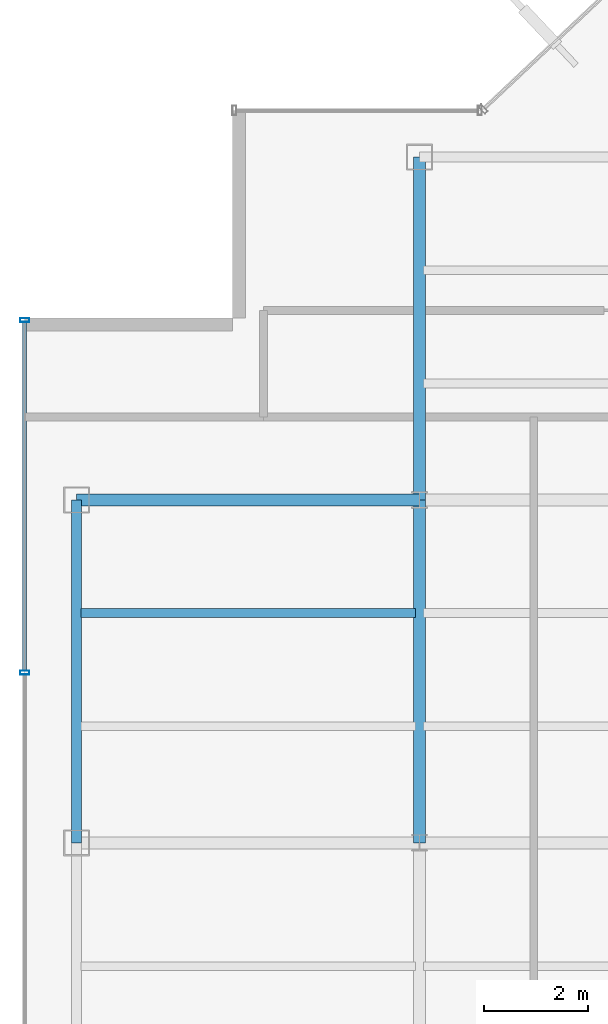
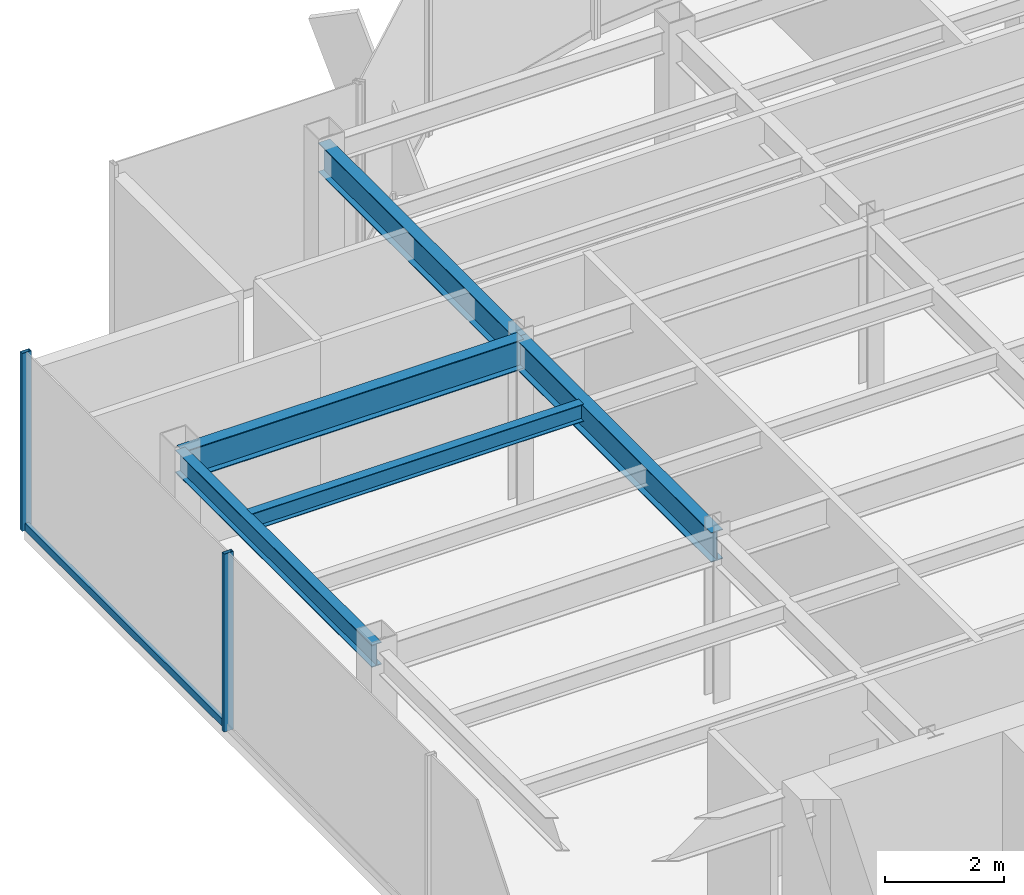
# One storey, part 7 of 22: 5 beams, 3 members, 1 element without a shape of its own.
"""IFC4 building model written with IfcOpenShell, lengths in metres."""

from ifc_helpers import new_model, si_unit, derived_unit, direction, frame, origin, origin_2d, place, context, subcontext, project, spatial, hollow_rectangle, i_section, extrude, source, transform, mapped, material, material_profile, profile_set, type_object, element, aggregate, save


model = new_model("IFC4")

# Units and contexts
model_context = context("Model", 3, precision=1e-05, world=origin(), true_north=direction((0.0, 1.0)))
body_context = subcontext(model_context, "Body", "Model", "MODEL_VIEW")
ifc_project = project(units=[si_unit("LENGTHUNIT", "METRE"), si_unit("AREAUNIT", "SQUARE_METRE"), si_unit("VOLUMEUNIT", "CUBIC_METRE"), si_unit("PLANEANGLEUNIT", "RADIAN"), si_unit("MASSUNIT", "GRAM", prefix="KILO"), derived_unit("THERMALTRANSMITTANCEUNIT", [(si_unit("POWERUNIT", "WATT"), 1), (si_unit("LENGTHUNIT", "METRE"), -2), (si_unit("THERMODYNAMICTEMPERATUREUNIT", "KELVIN"), -1)])], contexts=[model_context])

# Site, building, storey
site_placement = place(None, origin())
site = spatial("IfcSite", under=ifc_project, at=site_placement, CompositionType="ELEMENT")
building_placement = place(site_placement, origin())
building = spatial("IfcBuilding", under=site, at=building_placement, Name="Skarnbrae Concourse Arena and Tower", CompositionType="ELEMENT")
storey_placement = place(building_placement, frame((0.0, 0.0, 203.199951171875)))
storey = spatial("IfcBuildingStorey", under=building, at=storey_placement, Name="L52", CompositionType="ELEMENT", Elevation=203.199951171875)

# Beams
ifc_material_1 = material(Name="Steel CSA G40.21 350W", Category="steel")
ifc_material_profile_1 = material_profile(ifc_material_1, i_section(OverallWidth=0.22802734375, OverallDepth=0.60791015625, WebThickness=0.01123046875, FlangeThickness=0.017333984375, at=origin_2d()), Name="W610X113")
ifc_profile_set_1 = profile_set([ifc_material_profile_1], Name="Steel CSA G40.21 350W")
beam_type_1 = type_object("IfcBeamType", Name="BM-GIRD-W610X113", PredefinedType="BEAM", material=ifc_profile_set_1)
shared_shape_1 = source(origin(), body_context, "Body", "SweptSolid", [
    extrude(i_section(OverallWidth=0.22802734375, OverallDepth=0.60791015625, WebThickness=0.01123046875, FlangeThickness=0.017333984375, at=origin_2d()), origin(), (0.0, 0.0, 1.0), 6.60009765625),
])
for number, where, z_axis, x_axis, name in (
    (1, (1.0, 27.800048828125, 3.095947265625), (1.0, 0.0, 0.0), (0.0, 1.0, 0.0), "L52 Primary E-W girder Y27.8-1"),
    (2, (7.60009765625, 21.199951171875, 3.095947265625), (0.0, 1.0, 0.0), (-1.0, 0.0, 0.0), "L52 Primary N-S girder X7.6-2"),
):
    element("IfcBeam", number, at=place(storey_placement, frame(where, z_axis=z_axis, x_axis=x_axis)), inside=storey, type_object=beam_type_1, Name=name, PredefinedType="BEAM", context=body_context, shape_type="MappedRepresentation", body=[
        mapped(shared_shape_1, transform((0.0, 0.0, 0.0))),
    ])
ifc_material_profile_2 = material_profile(ifc_material_1, i_section(OverallWidth=0.19091796875, OverallDepth=0.4599609375, WebThickness=0.010009765625, FlangeThickness=0.01611328125, at=origin_2d()), Name="W460X82")
ifc_profile_set_2 = profile_set([ifc_material_profile_2], Name="Steel CSA G40.21 350W")
beam_type_2 = type_object("IfcBeamType", Name="BM-SPAN-W460X82", PredefinedType="SPANDREL", material=ifc_profile_set_2)
shared_shape_2 = source(origin(), body_context, "Body", "SweptSolid", [
    extrude(i_section(OverallWidth=0.19091796875, OverallDepth=0.4599609375, WebThickness=0.010009765625, FlangeThickness=0.01611328125, at=origin_2d()), origin(), (0.0, 0.0, 1.0), 6.60009765625),
])
beam_1_placement = place(storey_placement, frame((1.0, 21.199951171875, 3.170166015625), z_axis=(0.0, 1.0, 0.0), x_axis=(-1.0, 0.0, 0.0)))
element("IfcBeam", 3, at=beam_1_placement, inside=storey, type_object=beam_type_2, Name="L52 Perimeter spandrel X1.0-3", PredefinedType="SPANDREL", context=body_context, shape_type="MappedRepresentation", body=[
    mapped(shared_shape_2, transform((0.0, 0.0, 0.0))),
])
shared_shape_3 = source(origin(), body_context, "Body", "SweptSolid", [
    extrude(i_section(OverallWidth=0.22802734375, OverallDepth=0.60791015625, WebThickness=0.01123046875, FlangeThickness=0.017333984375, at=origin_2d()), origin(), (0.0, 0.0, 1.0), 6.599853515625),
])
beam_2_placement = place(storey_placement, frame((7.60009765625, 27.800048828125, 3.095947265625), z_axis=(0.0, 1.0, 0.0), x_axis=(-1.0, 0.0, 0.0)))
element("IfcBeam", 4, at=beam_2_placement, inside=storey, type_object=beam_type_1, Name="L52 Primary N-S girder X7.6-3", PredefinedType="BEAM", context=body_context, shape_type="MappedRepresentation", body=[
    mapped(shared_shape_3, transform((0.0, 0.0, 0.0))),
])
ifc_material_profile_3 = material_profile(ifc_material_1, i_section(OverallWidth=0.1708984375, OverallDepth=0.35498046875, WebThickness=0.007080078125, FlangeThickness=0.01171875, at=origin_2d()), Name="W360X51")
ifc_profile_set_3 = profile_set([ifc_material_profile_3], Name="Steel CSA G40.21 350W")
beam_type_3 = type_object("IfcBeamType", Name="BM-JOIST-W360X51", PredefinedType="JOIST", material=ifc_profile_set_3)
shared_shape_4 = source(origin(), body_context, "Body", "SweptSolid", [
    extrude(i_section(OverallWidth=0.1708984375, OverallDepth=0.35498046875, WebThickness=0.007080078125, FlangeThickness=0.01171875, at=origin_2d()), origin(), (0.0, 0.0, 1.0), 6.43994140625),
])
beam_3_placement = place(storey_placement, frame((1.080078125, 25.6220703125, 3.22265625), z_axis=(1.0, 0.0, 0.0), x_axis=(0.0, 1.0, 0.0)))
element("IfcBeam", 5, at=beam_3_placement, inside=storey, type_object=beam_type_3, Name="L52 Secondary floor joist 2.2.1", PredefinedType="JOIST", context=body_context, shape_type="MappedRepresentation", body=[
    mapped(shared_shape_4, transform((0.0, 0.0, 0.0))),
])

# Curtain wall, members
ifc_material_2 = material(Name="Bronze anodised aluminium 6063-T6", Category="aluminium")
curtain_wall_type = type_object("IfcCurtainWallType", Name="CW-SYS-05-HIGHZONE", PredefinedType="USERDEFINED", material=ifc_material_2)
curtain_wall_placement = place(storey_placement, origin())
curtain_wall = element("IfcCurtainWall", 6, at=curtain_wall_placement, inside=storey, type_object=curtain_wall_type, Name="L52 Unitised curtain wall CW-L52-E18", ObjectType="UNITISED CURTAIN WALL", PredefinedType="USERDEFINED")
ifc_material_profile_4 = material_profile(ifc_material_2, hollow_rectangle(XDim=0.074951171875, YDim=0.14990234375, WallThickness=0.00390625, at=origin_2d()), Name="ALU-TRAN-75X150")
ifc_profile_set_4 = profile_set([ifc_material_profile_4], Name="Bronze anodised aluminium 6063-T6")
member_type_1 = type_object("IfcMemberType", Name="CWT-CW-05", PredefinedType="USERDEFINED", material=ifc_profile_set_4)
shared_shape_5 = source(origin(), body_context, "Body", "SweptSolid", [
    extrude(hollow_rectangle(XDim=0.074951171875, YDim=0.14990234375, WallThickness=0.00390625, at=origin_2d()), origin(), (0.0, 0.0, 1.0), 6.712646484375),
])
member_1_placement = place(storey_placement, frame((0.0, 31.22509765625, 0.074951171875), z_axis=(0.0, -1.0, 0.0), x_axis=(1.0, 0.0, 0.0)))
member_1 = element("IfcMember", 7, at=member_1_placement, type_object=member_type_1, Name="CW-L52-E18 Transom 1", ObjectType="TRANSOM", PredefinedType="USERDEFINED", context=body_context, shape_type="MappedRepresentation", body=[
    mapped(shared_shape_5, transform((0.0, 0.0, 0.0))),
])
ifc_material_profile_5 = material_profile(ifc_material_2, hollow_rectangle(XDim=0.074951171875, YDim=0.179931640625, WallThickness=0.00390625, at=origin_2d()), Name="ALU-MULL-75X180")
ifc_profile_set_5 = profile_set([ifc_material_profile_5], Name="Bronze anodised aluminium 6063-T6")
member_type_2 = type_object("IfcMemberType", Name="CWM-CW-05", PredefinedType="MULLION", material=ifc_profile_set_5)
shared_shape_6 = source(origin(), body_context, "Body", "SweptSolid", [
    extrude(hollow_rectangle(XDim=0.074951171875, YDim=0.179931640625, WallThickness=0.00390625, at=origin_2d()), origin(), (0.0, 0.0, 1.0), 3.650146484375),
])
member_2_placement = place(storey_placement, frame((0.0, 31.262451171875, 0.0), z_axis=(0.0, 0.0, 1.0), x_axis=(0.0, -1.0, 0.0)))
member_2 = element("IfcMember", 8, at=member_2_placement, type_object=member_type_2, Name="CW-L52-E18 Mullion 1", PredefinedType="MULLION", context=body_context, shape_type="MappedRepresentation", body=[
    mapped(shared_shape_6, transform((0.0, 0.0, 0.0))),
])
member_3_placement = place(storey_placement, frame((0.0, 24.47509765625, 0.0), z_axis=(0.0, 0.0, 1.0), x_axis=(0.0, -1.0, 0.0)))
member_3 = element("IfcMember", 9, at=member_3_placement, type_object=member_type_2, Name="CW-L52-E18 Mullion 2", PredefinedType="MULLION", context=body_context, shape_type="MappedRepresentation", body=[
    mapped(shared_shape_6, transform((0.0, 0.0, 0.0))),
])
aggregate(curtain_wall, [member_2, member_3, member_1])

save(model, "model.ifc")
